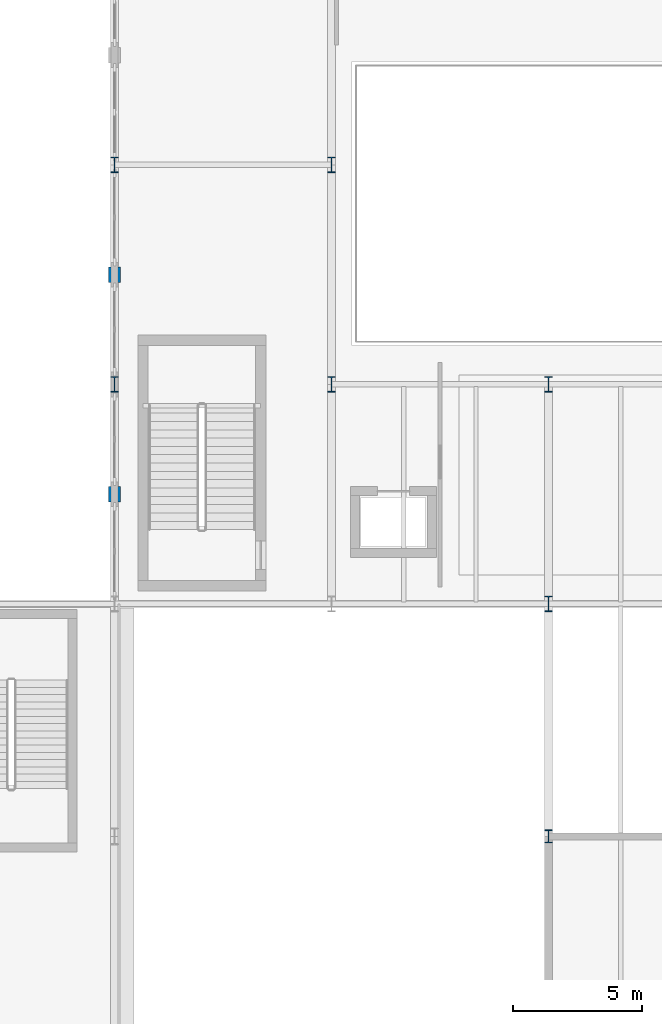
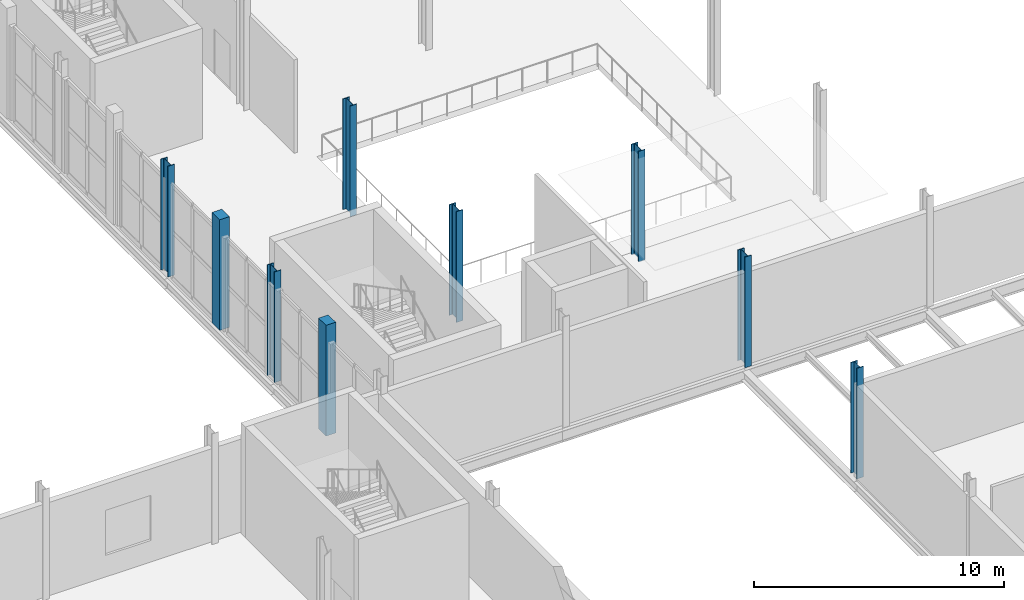
# One storey, part 7 of 78: 9 columns.
"""IFC4 building model written with IfcOpenShell, lengths in metres."""

from ifc_helpers import new_model, si_unit, direction, frame, origin, origin_2d, place, context, subcontext, project, spatial, rectangle, i_section, extrude, material, material_profile, profile_set, type_object, element, save


model = new_model("IFC4")

# Units and contexts
model_context = context("Model", 3, precision=1e-05, world=origin(), true_north=direction((0.0, 1.0)))
body_context = subcontext(model_context, "Body", "Model", "MODEL_VIEW")
ifc_project = project(units=[si_unit("LENGTHUNIT", "METRE"), si_unit("AREAUNIT", "SQUARE_METRE"), si_unit("VOLUMEUNIT", "CUBIC_METRE"), si_unit("PLANEANGLEUNIT", "RADIAN"), si_unit("MASSUNIT", "GRAM", prefix="KILO")], contexts=[model_context])

# Site, building, storey
site_placement = place(None, origin())
site = spatial("IfcSite", under=ifc_project, at=site_placement, CompositionType="ELEMENT")
building_placement = place(site_placement, origin())
building = spatial("IfcBuilding", under=site, at=building_placement, Name="Sefraquen Railside Congress Hotel", CompositionType="ELEMENT")
storey_placement = place(building_placement, frame((0.0, 0.0, 6.0)))
storey = spatial("IfcBuildingStorey", under=building, at=storey_placement, Name="L01", CompositionType="ELEMENT", Elevation=6.0)

# Columns
ifc_material_1 = material(Name="Steel S355JR", Category="steel")
ifc_material_profile_1 = material_profile(ifc_material_1, i_section(OverallWidth=0.300048828125, OverallDepth=0.5, WebThickness=0.014404296875, FlangeThickness=0.028076171875, FilletRadius=0.027099609375, at=origin_2d()), Name="HEB 500")
ifc_profile_set_1 = profile_set([ifc_material_profile_1], Name="Steel S355JR")
column_type_1 = type_object("IfcColumnType", Name="TC-HEB-500", PredefinedType="COLUMN", material=ifc_profile_set_1)
column_placement = place(storey_placement, frame((120.0, 45.0, 0.0), z_axis=(0.0, 0.0, 1.0), x_axis=(1.0, 0.0, 0.0)))
element("IfcColumn", 1, at=column_placement, inside=storey, type_object=column_type_1, Name="Structural column 16-F L01", PredefinedType="COLUMN", context=body_context, shape_type="SweptSolid", body=[
    extrude(i_section(OverallWidth=0.300048828125, OverallDepth=0.5, WebThickness=0.014404296875, FlangeThickness=0.028076171875, FilletRadius=0.027099609375, at=origin_2d()), origin(), (0.0, 0.0, 1.0), 5.39990234375),
])
ifc_material_profile_2 = material_profile(ifc_material_1, i_section(OverallWidth=0.300048828125, OverallDepth=0.60009765625, WebThickness=0.015380859375, FlangeThickness=0.030029296875, FilletRadius=0.027099609375, at=origin_2d()), Name="HEB 600")
ifc_profile_set_2 = profile_set([ifc_material_profile_2], Name="Steel S355JR")
column_type_2 = type_object("IfcColumnType", Name="TC-HEB-600", PredefinedType="COLUMN", material=ifc_profile_set_2)
for number, where, z_axis, x_axis, name in (
    (2, (103.199951171875, 62.5, 0.0), (0.0, 0.0, 1.0), (1.0, 0.0, 0.0), "Structural column 14-H L01"),
    (3, (103.199951171875, 71.0, 0.0), (0.0, 0.0, 1.0), (1.0, 0.0, 0.0), "Structural column 14-J L01"),
    (4, (111.60009765625, 62.5, 0.0), (0.0, 0.0, 1.0), (1.0, 0.0, 0.0), "Structural column 15-H L01"),
    (5, (111.60009765625, 71.0, 0.0), (0.0, 0.0, 1.0), (1.0, 0.0, 0.0), "Structural column 15-J L01"),
    (6, (120.0, 54.0, 0.0), (0.0, 0.0, 1.0), (1.0, 0.0, 0.0), "Structural column 16-G L01"),
    (7, (120.0, 62.5, 0.0), (0.0, 0.0, 1.0), (1.0, 0.0, 0.0), "Structural column 16-H L01"),
):
    element("IfcColumn", number, at=place(storey_placement, frame(where, z_axis=z_axis, x_axis=x_axis)), inside=storey, type_object=column_type_2, Name=name, PredefinedType="COLUMN", context=body_context, shape_type="SweptSolid", body=[
        extrude(i_section(OverallWidth=0.300048828125, OverallDepth=0.60009765625, WebThickness=0.015380859375, FlangeThickness=0.030029296875, FilletRadius=0.027099609375, at=origin_2d()), origin(), (0.0, 0.0, 1.0), 5.39990234375),
    ])
ifc_material_2 = material(Name="Concrete C50/60", Category="concrete")
ifc_material_profile_3 = material_profile(ifc_material_2, rectangle(XDim=0.449951171875, YDim=0.60009765625, at=origin_2d()), Name="RC 600x450")
ifc_profile_set_3 = profile_set([ifc_material_profile_3], Name="Concrete C50/60")
column_type_3 = type_object("IfcColumnType", Name="TC-PIL-600", PredefinedType="PILASTER", material=ifc_profile_set_3)
for number, where, z_axis, x_axis, name in (
    (8, (103.199951171875, 58.25, 0.0), (0.0, 0.0, 1.0), (1.0, 0.0, 0.0), "Courtyard limestone pilaster CPIL-E1 L01"),
    (9, (103.199951171875, 66.75, 0.0), (0.0, 0.0, 1.0), (1.0, 0.0, 0.0), "Courtyard limestone pilaster CPIL-E2 L01"),
):
    element("IfcColumn", number, at=place(storey_placement, frame(where, z_axis=z_axis, x_axis=x_axis)), inside=storey, type_object=column_type_3, Name=name, PredefinedType="PILASTER", context=body_context, shape_type="SweptSolid", body=[
        extrude(rectangle(XDim=0.449951171875, YDim=0.60009765625, at=origin_2d()), origin(), (0.0, 0.0, 1.0), 5.39990234375),
    ])

save(model, "model.ifc")
